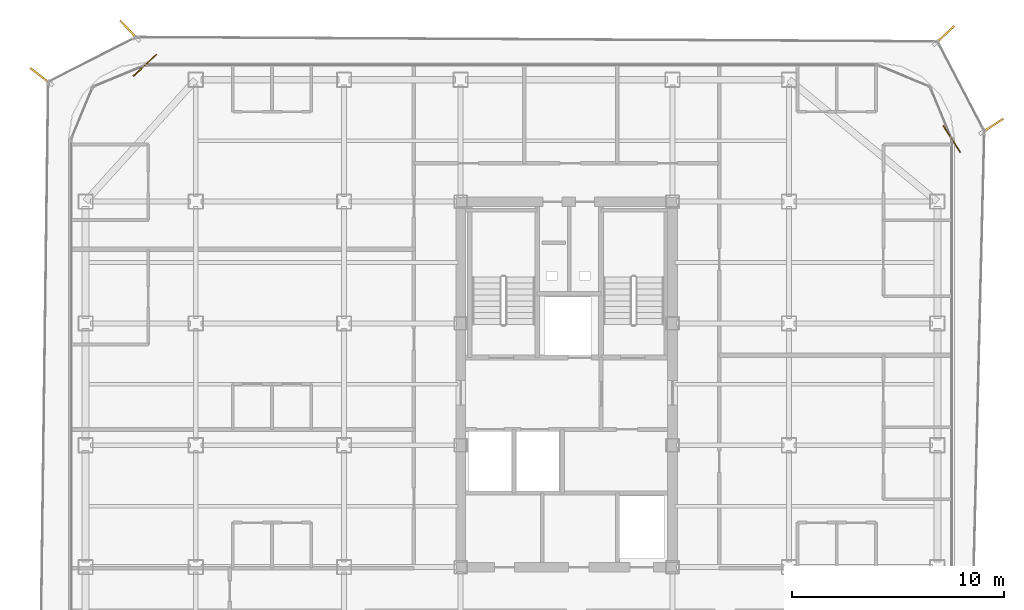
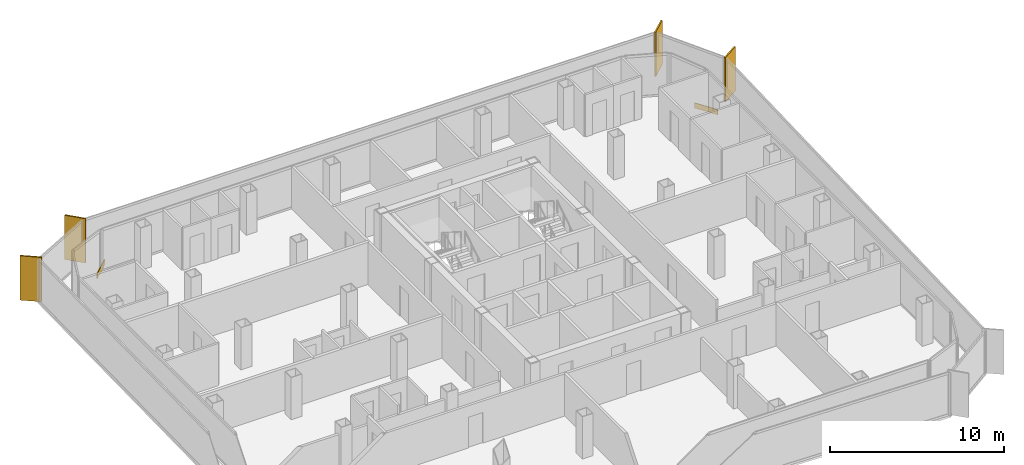
# One storey, part 15 of 15: 4 shading devices, 2 coverings.
"""IFC4 building model written with IfcOpenShell, lengths in metres."""

from ifc_helpers import new_model, si_unit, direction, frame, origin, origin_2d, place, context, subcontext, project, spatial, rectangle, extrude, source, transform, mapped, material, layer, layer_set, type_object, element, save


model = new_model("IFC4")

# Units and contexts
model_context = context("Model", 3, precision=1e-05, world=origin(), true_north=direction((0.0, 1.0)))
body_context = subcontext(model_context, "Body", "Model", "MODEL_VIEW")
ifc_project = project(units=[si_unit("LENGTHUNIT", "METRE"), si_unit("AREAUNIT", "SQUARE_METRE"), si_unit("VOLUMEUNIT", "CUBIC_METRE"), si_unit("PLANEANGLEUNIT", "RADIAN"), si_unit("MASSUNIT", "GRAM", prefix="KILO")], contexts=[model_context])

# Site, building, storey
site_placement = place(None, origin())
site = spatial("IfcSite", under=ifc_project, at=site_placement, CompositionType="ELEMENT")
building_placement = place(site_placement, origin())
building = spatial("IfcBuilding", under=site, at=building_placement, Name="Kolveth Station Tower", CompositionType="ELEMENT")
storey_placement = place(building_placement, frame((0.0, 0.0, 168.89990234375)))
storey = spatial("IfcBuildingStorey", under=building, at=storey_placement, Name="L47", CompositionType="ELEMENT", Elevation=168.89990234375)

# Shading devices
ifc_material_1 = material(Name="Black anodized aluminium 6063-T6", Category="aluminium")
shading_device_type = type_object("IfcShadingDeviceType", Name="FIN_VF1", PredefinedType="USERDEFINED", material=ifc_material_1)
shared_shape_1 = source(origin(), body_context, "Body", "SweptSolid", [
    extrude(rectangle(XDim=1.25, YDim=0.090087890625, at=origin_2d()), origin(), (0.0, 0.0, 1.0), 3.10009765625),
])
for number, where, z_axis, x_axis, name in (
    (1, (43.595947265625, 32.325927734375, 0.0), (0.0, 0.0, 1.0), (0.839714653571, 0.543027900367, 0.0), "L47 Dark-Aluminium Solar Fin 3"),
    (2, (41.341064453125, 36.610107421875, 0.0), (0.0, 0.0, 1.0), (0.733136660803, 0.680081345566, 0.0), "L47 Dark-Aluminium Solar Fin 4"),
    (3, (2.867919921875, 36.833984375, 0.0), (0.0, 0.0, 1.0), (-0.684928699156, 0.728610099486, 0.0), "L47 Dark-Aluminium Solar Fin 5"),
    (4, (-1.31591796875, 34.673095703125, 0.0), (0.0, 0.0, 1.0), (-0.793778142573, 0.608207415585, 0.0), "L47 Dark-Aluminium Solar Fin 6"),
):
    element("IfcShadingDevice", number, at=place(storey_placement, frame(where, z_axis=z_axis, x_axis=x_axis)), inside=storey, type_object=shading_device_type, Name=name, ObjectType="FIN", PredefinedType="USERDEFINED", context=body_context, shape_type="MappedRepresentation", body=[
        mapped(shared_shape_1, transform((0.0, 0.0, 0.0), x_axis=(1.0, 0.0, 0.0), y_axis=(0.0, 1.0, 0.0), z_axis=(0.0, 0.0, 1.0), scale=1.0)),
    ])

# Coverings
ifc_material_2 = material(Name="Charcoal anodized aluminium spandrel cladding", Category="aluminium")
ifc_layer = layer(ifc_material_2, 0.044921875)
ifc_layer_set = layer_set([ifc_layer], Name="Charcoal anodized aluminium spandrel cladding")
covering_type = type_object("IfcCoveringType", Name="Clad_CD1", PredefinedType="CLADDING", material=ifc_layer_set)
shared_shape_2 = source(origin(), body_context, "Body", "SweptSolid", [
    extrude(rectangle(XDim=1.5, YDim=0.044921875, at=origin_2d()), origin(), (0.0, 0.0, 1.0), 0.360107421875),
])
for number, where, z_axis, x_axis, name in (
    (5, (41.679931640625, 31.699951171875, 0.0), (0.0, 0.0, 1.0), (-0.543027900367, 0.839714653571, 0.0), "L47 Spandrel Edge Cladding 3"),
    (6, (3.60009765625, 35.179931640625, 0.0), (0.0, 0.0, 1.0), (-0.728610099486, -0.684928699156, 0.0), "L47 Spandrel Edge Cladding 5"),
):
    element("IfcCovering", number, at=place(storey_placement, frame(where, z_axis=z_axis, x_axis=x_axis)), inside=storey, type_object=covering_type, Name=name, PredefinedType="CLADDING", context=body_context, shape_type="MappedRepresentation", body=[
        mapped(shared_shape_2, transform((0.0, 0.0, 0.0), x_axis=(1.0, 0.0, 0.0), y_axis=(0.0, 1.0, 0.0), z_axis=(0.0, 0.0, 1.0), scale=1.0)),
    ])

save(model, "model.ifc")
